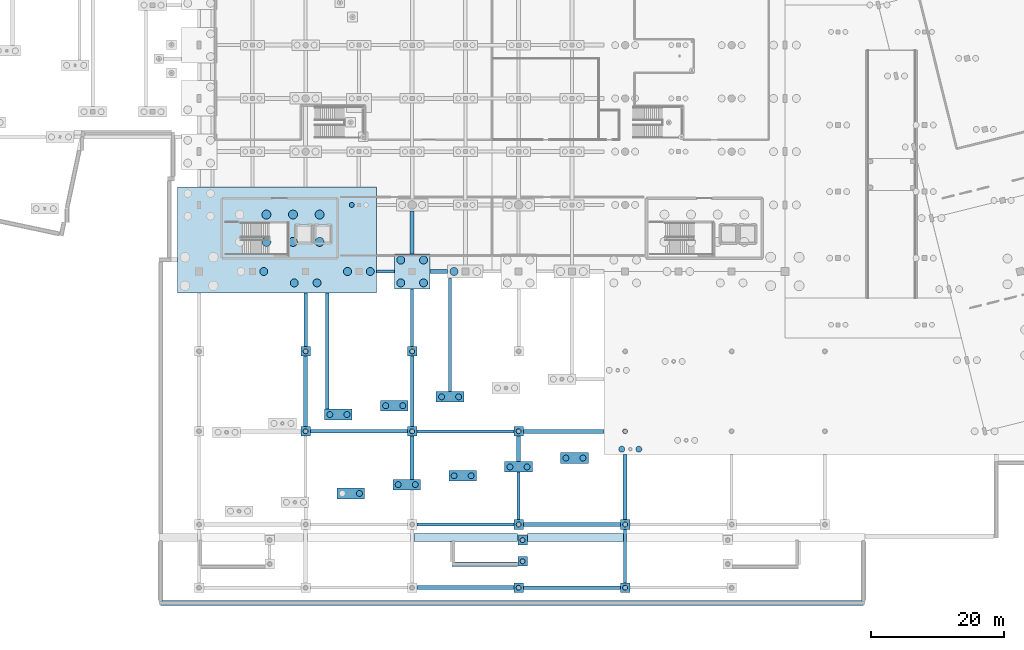
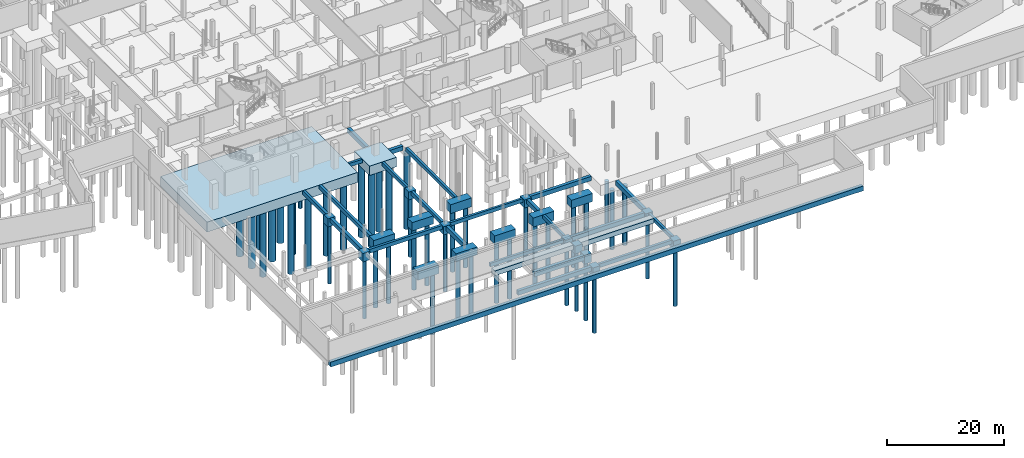
# One storey, part 2 of 65: 46 footings, 46 piles.
"""IFC4 building model written with IfcOpenShell, lengths in metres."""

from ifc_helpers import new_model, si_unit, direction, frame, origin, origin_2d, place, context, subcontext, project, spatial, rectangle, circle, extrude, material, material_profile, profile_set, type_object, element, save


model = new_model("IFC4")

# Units and contexts
model_context = context("Model", 3, precision=1e-05, world=origin(), true_north=direction((0.0, 1.0)))
body_context = subcontext(model_context, "Body", "Model", "MODEL_VIEW")
ifc_project = project(units=[si_unit("LENGTHUNIT", "METRE"), si_unit("AREAUNIT", "SQUARE_METRE"), si_unit("VOLUMEUNIT", "CUBIC_METRE"), si_unit("PLANEANGLEUNIT", "RADIAN"), si_unit("MASSUNIT", "GRAM", prefix="KILO")], contexts=[model_context])

# Site, building, storey
site_placement = place(None, origin())
site = spatial("IfcSite", under=ifc_project, at=site_placement, CompositionType="ELEMENT")
building_placement = place(site_placement, origin())
building = spatial("IfcBuilding", under=site, at=building_placement, Name="Khorjan Park Terminus", CompositionType="ELEMENT")
storey_placement = place(building_placement, frame((0.0, 0.0, -5.4)))
storey = spatial("IfcBuildingStorey", under=building, at=storey_placement, Name="B1", CompositionType="ELEMENT", Elevation=-5.4)

# Footings
ifc_material = material(Name="Concrete C40/50", Category="concrete")
ifc_material_profile_1 = material_profile(ifc_material, rectangle(XDim=0.45, YDim=0.75, at=origin_2d()), Name="RC 450x750")
ifc_profile_set_1 = profile_set([ifc_material_profile_1], Name="Concrete C40/50")
footing_type_1 = type_object("IfcFootingType", Name="FTG-GB-450x750", PredefinedType="FOOTING_BEAM", material=ifc_profile_set_1)
for number, where, z_axis, x_axis, name in (
    (1, (80.725, -12.0, -0.375), (1.0, 0.0, 0.0), (0.0, 1.0, 0.0), "Reinforced concrete ground tie beam FB-07 (8)"),
    (2, (80.725, 2.0, -0.375), (1.0, 0.0, 0.0), (0.0, 1.0, 0.0), "Reinforced concrete ground tie beam FB-07 (14)"),
):
    element("IfcFooting", number, at=place(storey_placement, frame(where, z_axis=z_axis, x_axis=x_axis)), inside=storey, type_object=footing_type_1, Name=name, PredefinedType="FOOTING_BEAM", context=body_context, shape_type="SweptSolid", body=[
        extrude(rectangle(XDim=0.45, YDim=0.75, at=origin_2d()), origin(), (0.0, 0.0, 1.0), 14.55),
    ])
footing_1_placement = place(storey_placement, frame((74.66, 26.0, -0.375), z_axis=(1.0, 0.0, 0.0), x_axis=(0.0, 1.0, 0.0)))
element("IfcFooting", 3, at=footing_1_placement, inside=storey, type_object=footing_type_1, Name="Reinforced concrete ground tie beam FB-07 (17)", PredefinedType="FOOTING_BEAM", context=body_context, shape_type="SweptSolid", body=[
    extrude(rectangle(XDim=0.45, YDim=0.75, at=origin_2d()), origin(), (0.0, 0.0, 1.0), 2.68),
])
footing_2_placement = place(storey_placement, frame((80.0, 14.725, -0.375), z_axis=(0.0, 1.0, 0.0), x_axis=(-1.0, 0.0, 0.0)))
element("IfcFooting", 4, at=footing_2_placement, inside=storey, type_object=footing_type_1, Name="Reinforced concrete ground tie beam FB-07 (287)", PredefinedType="FOOTING_BEAM", context=body_context, shape_type="SweptSolid", body=[
    extrude(rectangle(XDim=0.45, YDim=0.75, at=origin_2d()), origin(), (0.0, 0.0, 1.0), 8.615),
])
footing_3_placement = place(storey_placement, frame((85.7, 7.971, -0.375), z_axis=(0.0, 1.0, 0.0), x_axis=(-1.0, 0.0, 0.0)))
element("IfcFooting", 5, at=footing_3_placement, inside=storey, type_object=footing_type_1, Name="Reinforced concrete ground tie beam FB-07 (302)", PredefinedType="FOOTING_BEAM", context=body_context, shape_type="SweptSolid", body=[
    extrude(rectangle(XDim=0.45, YDim=0.75, at=origin_2d()), origin(), (0.0, 0.0, 1.0), 17.079),
])
footing_4_placement = place(storey_placement, frame((96.0, -11.275, -0.375), z_axis=(0.0, 1.0, 0.0), x_axis=(-1.0, 0.0, 0.0)))
element("IfcFooting", 6, at=footing_4_placement, inside=storey, type_object=footing_type_1, Name="Reinforced concrete ground tie beam FB-07 (314)", PredefinedType="FOOTING_BEAM", context=body_context, shape_type="SweptSolid", body=[
    extrude(rectangle(XDim=0.45, YDim=0.75, at=origin_2d()), origin(), (0.0, 0.0, 1.0), 7.123),
])
footing_5_placement = place(storey_placement, frame((112.0, -20.775, -0.375), z_axis=(0.0, 1.0, 0.0), x_axis=(-1.0, 0.0, 0.0)))
element("IfcFooting", 7, at=footing_5_placement, inside=storey, type_object=footing_type_1, Name="Reinforced concrete ground tie beam FB-07 (341)", PredefinedType="FOOTING_BEAM", context=body_context, shape_type="SweptSolid", body=[
    extrude(rectangle(XDim=0.45, YDim=0.75, at=origin_2d()), origin(), (0.0, 0.0, 1.0), 8.05),
])
ifc_material_profile_2 = material_profile(ifc_material, rectangle(XDim=0.5, YDim=0.8, at=origin_2d()), Name="RC 500x800")
ifc_profile_set_2 = profile_set([ifc_material_profile_2], Name="Concrete C40/50")
footing_type_2 = type_object("IfcFootingType", Name="FTG-GB-500x800", PredefinedType="FOOTING_BEAM", material=ifc_profile_set_2)
for number, where, z_axis, x_axis, name in (
    (8, (96.725, -21.5, -0.4), (1.0, 0.0, 0.0), (0.0, 1.0, 0.0), "Reinforced concrete ground tie beam FB-08 (4)"),
    (9, (64.725, 2.0, -0.4), (1.0, 0.0, 0.0), (0.0, 1.0, 0.0), "Reinforced concrete ground tie beam FB-08 (13)"),
):
    element("IfcFooting", number, at=place(storey_placement, frame(where, z_axis=z_axis, x_axis=x_axis)), inside=storey, type_object=footing_type_2, Name=name, PredefinedType="FOOTING_BEAM", context=body_context, shape_type="SweptSolid", body=[
        extrude(rectangle(XDim=0.5, YDim=0.8, at=origin_2d()), origin(), (0.0, 0.0, 1.0), 14.55),
    ])
footing_6_placement = place(storey_placement, frame((64.0, 14.725, -0.4), z_axis=(0.0, 1.0, 0.0), x_axis=(-1.0, 0.0, 0.0)))
element("IfcFooting", 10, at=footing_6_placement, inside=storey, type_object=footing_type_2, Name="Reinforced concrete ground tie beam FB-08 (259)", PredefinedType="FOOTING_BEAM", context=body_context, shape_type="SweptSolid", body=[
    extrude(rectangle(XDim=0.5, YDim=0.8, at=origin_2d()), origin(), (0.0, 0.0, 1.0), 8.037),
])
footing_7_placement = place(storey_placement, frame((67.25, 5.312, -0.4), z_axis=(0.0, 1.0, 0.0), x_axis=(-1.0, 0.0, 0.0)))
element("IfcFooting", 11, at=footing_7_placement, inside=storey, type_object=footing_type_2, Name="Reinforced concrete ground tie beam FB-08 (271)", PredefinedType="FOOTING_BEAM", context=body_context, shape_type="SweptSolid", body=[
    extrude(rectangle(XDim=0.5, YDim=0.8, at=origin_2d()), origin(), (0.0, 0.0, 1.0), 17.45),
])
footing_8_placement = place(storey_placement, frame((80.0, 2.725, -0.4), z_axis=(0.0, 1.0, 0.0), x_axis=(-1.0, 0.0, 0.0)))
element("IfcFooting", 12, at=footing_8_placement, inside=storey, type_object=footing_type_2, Name="Reinforced concrete ground tie beam FB-08 (286)", PredefinedType="FOOTING_BEAM", context=body_context, shape_type="SweptSolid", body=[
    extrude(rectangle(XDim=0.5, YDim=0.8, at=origin_2d()), origin(), (0.0, 0.0, 1.0), 10.55),
])
ifc_material_profile_3 = material_profile(ifc_material, rectangle(XDim=0.6, YDim=0.9, at=origin_2d()), Name="RC 600x900")
ifc_profile_set_3 = profile_set([ifc_material_profile_3], Name="Concrete C40/50")
footing_type_3 = type_object("IfcFootingType", Name="FTG-GB-600x900", PredefinedType="FOOTING_BEAM", material=ifc_profile_set_3)
for number, where, z_axis, x_axis, name in (
    (13, (80.725, -21.5, -0.45), (1.0, 0.0, 0.0), (0.0, 1.0, 0.0), "Reinforced concrete ground tie beam FB-09 (3)"),
    (14, (96.725, -12.0, -0.45), (1.0, 0.0, 0.0), (0.0, 1.0, 0.0), "Reinforced concrete ground tie beam FB-09 (9)"),
):
    element("IfcFooting", number, at=place(storey_placement, frame(where, z_axis=z_axis, x_axis=x_axis)), inside=storey, type_object=footing_type_3, Name=name, PredefinedType="FOOTING_BEAM", context=body_context, shape_type="SweptSolid", body=[
        extrude(rectangle(XDim=0.6, YDim=0.9, at=origin_2d()), origin(), (0.0, 0.0, 1.0), 14.55),
    ])
footing_9_placement = place(storey_placement, frame((96.725, 2.0, -0.45), z_axis=(1.0, 0.0, 0.0), x_axis=(0.0, 1.0, 0.0)))
element("IfcFooting", 15, at=footing_9_placement, inside=storey, type_object=footing_type_3, Name="Reinforced concrete ground tie beam FB-09 (15)", PredefinedType="FOOTING_BEAM", context=body_context, shape_type="SweptSolid", body=[
    extrude(rectangle(XDim=0.6, YDim=0.9, at=origin_2d()), origin(), (0.0, 0.0, 1.0), 12.083),
])
footing_10_placement = place(storey_placement, frame((82.66, 26.0, -0.45), z_axis=(1.0, 0.0, 0.0), x_axis=(0.0, 1.0, 0.0)))
element("IfcFooting", 16, at=footing_10_placement, inside=storey, type_object=footing_type_3, Name="Reinforced concrete ground tie beam FB-09 (18)", PredefinedType="FOOTING_BEAM", context=body_context, shape_type="SweptSolid", body=[
    extrude(rectangle(XDim=0.6, YDim=0.9, at=origin_2d()), origin(), (0.0, 0.0, 1.0), 2.68),
])
footing_11_placement = place(storey_placement, frame((64.0, 2.725, -0.45), z_axis=(0.0, 1.0, 0.0), x_axis=(-1.0, 0.0, 0.0)))
element("IfcFooting", 17, at=footing_11_placement, inside=storey, type_object=footing_type_3, Name="Reinforced concrete ground tie beam FB-09 (258)", PredefinedType="FOOTING_BEAM", context=body_context, shape_type="SweptSolid", body=[
    extrude(rectangle(XDim=0.6, YDim=0.9, at=origin_2d()), origin(), (0.0, 0.0, 1.0), 10.55),
])
footing_12_placement = place(storey_placement, frame((80.0, -5.211, -0.45), z_axis=(0.0, 1.0, 0.0), x_axis=(-1.0, 0.0, 0.0)))
element("IfcFooting", 18, at=footing_12_placement, inside=storey, type_object=footing_type_3, Name="Reinforced concrete ground tie beam FB-09 (285)", PredefinedType="FOOTING_BEAM", context=body_context, shape_type="SweptSolid", body=[
    extrude(rectangle(XDim=0.6, YDim=0.9, at=origin_2d()), origin(), (0.0, 0.0, 1.0), 6.486),
])
footing_13_placement = place(storey_placement, frame((80.0, 28.66, -0.45), z_axis=(0.0, 1.0, 0.0), x_axis=(-1.0, 0.0, 0.0)))
element("IfcFooting", 19, at=footing_13_placement, inside=storey, type_object=footing_type_3, Name="Reinforced concrete ground tie beam FB-09 (288)", PredefinedType="FOOTING_BEAM", context=body_context, shape_type="SweptSolid", body=[
    extrude(rectangle(XDim=0.6, YDim=0.9, at=origin_2d()), origin(), (0.0, 0.0, 1.0), 6.465),
])
footing_14_placement = place(storey_placement, frame((96.0, -2.552, -0.45), z_axis=(0.0, 1.0, 0.0), x_axis=(-1.0, 0.0, 0.0)))
element("IfcFooting", 20, at=footing_14_placement, inside=storey, type_object=footing_type_3, Name="Reinforced concrete ground tie beam FB-09 (315)", PredefinedType="FOOTING_BEAM", context=body_context, shape_type="SweptSolid", body=[
    extrude(rectangle(XDim=0.6, YDim=0.9, at=origin_2d()), origin(), (0.0, 0.0, 1.0), 3.827),
])
footing_15_placement = place(storey_placement, frame((112.0, -11.275, -0.45), z_axis=(0.0, 1.0, 0.0), x_axis=(-1.0, 0.0, 0.0)))
element("IfcFooting", 21, at=footing_15_placement, inside=storey, type_object=footing_type_3, Name="Reinforced concrete ground tie beam FB-09 (342)", PredefinedType="FOOTING_BEAM", context=body_context, shape_type="SweptSolid", body=[
    extrude(rectangle(XDim=0.6, YDim=0.9, at=origin_2d()), origin(), (0.0, 0.0, 1.0), 9.783),
])
footing_type_4 = type_object("IfcFootingType", Name="FTG-PC-06", PredefinedType="PILE_CAP", material=ifc_material)
footing_16_placement = place(storey_placement, frame((85.7035, 7.171, -1.84), z_axis=(0.0, 0.0, 1.0), x_axis=(1.0, 0.0, 0.0)))
element("IfcFooting", 22, at=footing_16_placement, inside=storey, type_object=footing_type_4, Name="Reinforced concrete pile cap PC-06 (162)", PredefinedType="PILE_CAP", context=body_context, shape_type="SweptSolid", body=[
    extrude(rectangle(XDim=4.165, YDim=1.6, at=origin_2d()), origin(), (0.0, 0.0, 1.0), 1.84),
])
footing_type_5 = type_object("IfcFootingType", Name="FTG-PC-07", PredefinedType="PILE_CAP", material=ifc_material)
footing_17_placement = place(storey_placement, frame((79.1865, -6.011, -1.66), z_axis=(0.0, 0.0, 1.0), x_axis=(1.0, 0.0, 0.0)))
element("IfcFooting", 23, at=footing_17_placement, inside=storey, type_object=footing_type_5, Name="Reinforced concrete pile cap PC-07 (145)", PredefinedType="PILE_CAP", context=body_context, shape_type="SweptSolid", body=[
    extrude(rectangle(XDim=4.165, YDim=1.6, at=origin_2d()), origin(), (0.0, 0.0, 1.0), 1.66),
])
footing_type_6 = type_object("IfcFootingType", Name="FTG-PC-11", PredefinedType="PILE_CAP", material=ifc_material)
footing_18_placement = place(storey_placement, frame((70.791, -7.341, -1.84), z_axis=(0.0, 0.0, 1.0), x_axis=(1.0, 0.0, 0.0)))
element("IfcFooting", 24, at=footing_18_placement, inside=storey, type_object=footing_type_6, Name="Reinforced concrete pile cap PC-11 (128)", PredefinedType="PILE_CAP", context=body_context, shape_type="SweptSolid", body=[
    extrude(rectangle(XDim=4.164, YDim=1.6, at=origin_2d()), origin(), (0.0, 0.0, 1.0), 1.84),
])
footing_type_7 = type_object("IfcFootingType", Name="FTG-PC-12", PredefinedType="PILE_CAP", material=ifc_material)
for number, where, z_axis, x_axis, name in (
    (25, (68.913, 4.512, -1.9), (0.0, 0.0, 1.0), (1.0, 0.0, 0.0), "Reinforced concrete pile cap PC-12 (126)"),
    (26, (95.977, -3.352, -1.9), (0.0, 0.0, 1.0), (1.0, 0.0, 0.0), "Reinforced concrete pile cap PC-12 (183)"),
):
    element("IfcFooting", number, at=place(storey_placement, frame(where, z_axis=z_axis, x_axis=x_axis)), inside=storey, type_object=footing_type_7, Name=name, PredefinedType="PILE_CAP", context=body_context, shape_type="SweptSolid", body=[
        extrude(rectangle(XDim=4.164, YDim=1.6, at=origin_2d()), origin(), (0.0, 0.0, 1.0), 1.9),
    ])
footing_type_8 = type_object("IfcFootingType", Name="FTG-PC-14", PredefinedType="PILE_CAP", material=ifc_material)
for number, where, z_axis, x_axis, name in (
    (27, (77.309, 5.841, -1.72), (0.0, 0.0, 1.0), (1.0, 0.0, 0.0), "Reinforced concrete pile cap PC-14 (144)"),
    (28, (104.372, -2.022, -1.72), (0.0, 0.0, 1.0), (1.0, 0.0, 0.0), "Reinforced concrete pile cap PC-14 (213)"),
):
    element("IfcFooting", number, at=place(storey_placement, frame(where, z_axis=z_axis, x_axis=x_axis)), inside=storey, type_object=footing_type_8, Name=name, PredefinedType="PILE_CAP", context=body_context, shape_type="SweptSolid", body=[
        extrude(rectangle(XDim=4.164, YDim=1.6, at=origin_2d()), origin(), (0.0, 0.0, 1.0), 1.72),
    ])
footing_type_9 = type_object("IfcFootingType", Name="FTG-PC-15", PredefinedType="PILE_CAP", material=ifc_material)
footing_19_placement = place(storey_placement, frame((96.59, -14.35, -1.6), z_axis=(0.0, 0.0, 1.0), x_axis=(1.0, 0.0, 0.0)))
element("IfcFooting", 29, at=footing_19_placement, inside=storey, type_object=footing_type_9, Name="Reinforced concrete pile cap PC-15 (197)", PredefinedType="PILE_CAP", context=body_context, shape_type="SweptSolid", body=[
    extrude(rectangle(XDim=1.45, YDim=1.45, at=origin_2d()), origin(), (0.0, 0.0, 1.0), 1.6),
])
footing_type_10 = type_object("IfcFootingType", Name="FTG-PC-16", PredefinedType="PILE_CAP", material=ifc_material)
for number, where, z_axis, x_axis, name in (
    (30, (80.0, 14.0, -1.66), (0.0, 0.0, 1.0), (1.0, 0.0, 0.0), "Reinforced concrete pile cap PC-16 (161)"),
    (31, (96.0, 2.0, -1.66), (0.0, 0.0, 1.0), (1.0, 0.0, 0.0), "Reinforced concrete pile cap PC-16 (194)"),
    (32, (112.0, -12.0, -1.66), (0.0, 0.0, 1.0), (1.0, 0.0, 0.0), "Reinforced concrete pile cap PC-16 (227)"),
):
    element("IfcFooting", number, at=place(storey_placement, frame(where, z_axis=z_axis, x_axis=x_axis)), inside=storey, type_object=footing_type_10, Name=name, PredefinedType="PILE_CAP", context=body_context, shape_type="SweptSolid", body=[
        extrude(rectangle(XDim=1.45, YDim=1.45, at=origin_2d()), origin(), (0.0, 0.0, 1.0), 1.66),
    ])
footing_type_11 = type_object("IfcFootingType", Name="FTG-PC-17", PredefinedType="PILE_CAP", material=ifc_material)
for number, where, z_axis, x_axis, name in (
    (33, (64.0, 14.0, -1.72), (0.0, 0.0, 1.0), (1.0, 0.0, 0.0), "Reinforced concrete pile cap PC-17 (117)"),
    (34, (80.0, 2.0, -1.72), (0.0, 0.0, 1.0), (1.0, 0.0, 0.0), "Reinforced concrete pile cap PC-17 (160)"),
    (35, (96.0, -12.0, -1.72), (0.0, 0.0, 1.0), (1.0, 0.0, 0.0), "Reinforced concrete pile cap PC-17 (193)"),
    (36, (112.0, -21.5, -1.72), (0.0, 0.0, 1.0), (1.0, 0.0, 0.0), "Reinforced concrete pile cap PC-17 (226)"),
):
    element("IfcFooting", number, at=place(storey_placement, frame(where, z_axis=z_axis, x_axis=x_axis)), inside=storey, type_object=footing_type_11, Name=name, PredefinedType="PILE_CAP", context=body_context, shape_type="SweptSolid", body=[
        extrude(rectangle(XDim=1.45, YDim=1.45, at=origin_2d()), origin(), (0.0, 0.0, 1.0), 1.72),
    ])
footing_type_12 = type_object("IfcFootingType", Name="FTG-PC-18", PredefinedType="PILE_CAP", material=ifc_material)
footing_20_placement = place(storey_placement, frame((87.581, -4.681, -1.78), z_axis=(0.0, 0.0, 1.0), x_axis=(1.0, 0.0, 0.0)))
element("IfcFooting", 37, at=footing_20_placement, inside=storey, type_object=footing_type_12, Name="Reinforced concrete pile cap PC-18 (165)", PredefinedType="PILE_CAP", context=body_context, shape_type="SweptSolid", body=[
    extrude(rectangle(XDim=4.164, YDim=1.6, at=origin_2d()), origin(), (0.0, 0.0, 1.0), 1.78),
])
footing_type_13 = type_object("IfcFootingType", Name="FTG-PC-21", PredefinedType="PILE_CAP", material=ifc_material)
footing_21_placement = place(storey_placement, frame((96.59, -17.54, -1.84), z_axis=(0.0, 0.0, 1.0), x_axis=(1.0, 0.0, 0.0)))
element("IfcFooting", 38, at=footing_21_placement, inside=storey, type_object=footing_type_13, Name="Reinforced concrete pile cap PC-21 (196)", PredefinedType="PILE_CAP", context=body_context, shape_type="SweptSolid", body=[
    extrude(rectangle(XDim=1.45, YDim=1.45, at=origin_2d()), origin(), (0.0, 0.0, 1.0), 1.84),
])
footing_type_14 = type_object("IfcFootingType", Name="FTG-PC-22", PredefinedType="PILE_CAP", material=ifc_material)
for number, where, z_axis, x_axis, name in (
    (39, (64.0, 2.0, -1.78), (0.0, 0.0, 1.0), (1.0, 0.0, 0.0), "Reinforced concrete pile cap PC-22 (116)"),
    (40, (96.0, -21.5, -1.78), (0.0, 0.0, 1.0), (1.0, 0.0, 0.0), "Reinforced concrete pile cap PC-22 (192)"),
):
    element("IfcFooting", number, at=place(storey_placement, frame(where, z_axis=z_axis, x_axis=x_axis)), inside=storey, type_object=footing_type_14, Name=name, PredefinedType="PILE_CAP", context=body_context, shape_type="SweptSolid", body=[
        extrude(rectangle(XDim=1.45, YDim=1.45, at=origin_2d()), origin(), (0.0, 0.0, 1.0), 1.78),
    ])
footing_type_15 = type_object("IfcFootingType", Name="FTG-PC-23", PredefinedType="PILE_CAP", material=ifc_material)
footing_22_placement = place(storey_placement, frame((80.0, 26.0, -1.96), z_axis=(0.0, 0.0, 1.0), x_axis=(1.0, 0.0, 0.0)))
element("IfcFooting", 41, at=footing_22_placement, inside=storey, type_object=footing_type_15, Name="Reinforced concrete pile cap PC-23 (146)", PredefinedType="PILE_CAP", context=body_context, shape_type="SweptSolid", body=[
    extrude(rectangle(XDim=5.32, YDim=5.32, at=origin_2d()), origin(), (0.0, 0.0, 1.0), 1.96),
])
footing_type_16 = type_object("IfcFootingType", Name="FTG-PC-27", PredefinedType="PILE_CAP", material=ifc_material)
footing_23_placement = place(storey_placement, frame((59.7115, 30.711, -2.08), z_axis=(0.0, 0.0, 1.0), x_axis=(1.0, 0.0, 0.0)))
element("IfcFooting", 42, at=footing_23_placement, inside=storey, type_object=footing_type_16, Name="Reinforced concrete pile cap PC-27 (65)", PredefinedType="PILE_CAP", context=body_context, shape_type="SweptSolid", body=[
    extrude(rectangle(XDim=29.897, YDim=15.898, at=origin_2d()), origin(), (0.0, 0.0, 1.0), 2.08),
])
ifc_material_profile_4 = material_profile(ifc_material, rectangle(XDim=1.2, YDim=1.0, at=origin_2d()), Name="RC 1200x1000")
ifc_profile_set_4 = profile_set([ifc_material_profile_4], Name="Concrete C40/50")
footing_type_17 = type_object("IfcFootingType", Name="FTG-SF-1200x1000", PredefinedType="STRIP_FOOTING", material=ifc_profile_set_4)
footing_24_placement = place(storey_placement, frame((80.253, -13.98, -0.5), z_axis=(1.0, 0.0, 0.0), x_axis=(0.0, 1.0, 0.0)))
element("IfcFooting", 43, at=footing_24_placement, inside=storey, type_object=footing_type_17, Name="Reinforced concrete wall strip footing SF-12 (5)", PredefinedType="STRIP_FOOTING", context=body_context, shape_type="SweptSolid", body=[
    extrude(rectangle(XDim=1.2, YDim=1.0, at=origin_2d()), origin(), (0.0, 0.0, 1.0), 15.609),
])
footing_25_placement = place(storey_placement, frame((97.318, -13.98, -0.5), z_axis=(1.0, 0.0, 0.0), x_axis=(0.0, 1.0, 0.0)))
element("IfcFooting", 44, at=footing_25_placement, inside=storey, type_object=footing_type_17, Name="Reinforced concrete wall strip footing SF-12 (6)", PredefinedType="STRIP_FOOTING", context=body_context, shape_type="SweptSolid", body=[
    extrude(rectangle(XDim=1.2, YDim=1.0, at=origin_2d()), origin(), (0.0, 0.0, 1.0), 14.454),
])
ifc_material_profile_5 = material_profile(ifc_material, rectangle(XDim=0.7, YDim=1.0, at=origin_2d()), Name="RC 700x1000")
ifc_profile_set_5 = profile_set([ifc_material_profile_5], Name="Concrete C40/50")
footing_type_18 = type_object("IfcFootingType", Name="FTG-SF-700x1000", PredefinedType="STRIP_FOOTING", material=ifc_profile_set_5)
footing_26_placement = place(storey_placement, frame((147.79, -23.79, -0.5), z_axis=(-1.0, 0.0, 0.0), x_axis=(0.0, -1.0, 0.0)))
element("IfcFooting", 45, at=footing_26_placement, inside=storey, type_object=footing_type_18, Name="Reinforced concrete wall strip footing SF-07 (42)", PredefinedType="STRIP_FOOTING", context=body_context, shape_type="SweptSolid", body=[
    extrude(rectangle(XDim=0.7, YDim=1.0, at=origin_2d()), origin(), (0.0, 0.0, 1.0), 105.58),
])
footing_27_placement = place(storey_placement, frame((86.0, -17.95, -0.5), z_axis=(1.0, 0.0, 0.0), x_axis=(0.0, 1.0, 0.0)))
element("IfcFooting", 46, at=footing_27_placement, inside=storey, type_object=footing_type_18, Name="Reinforced concrete wall strip footing SF-07 (58)", PredefinedType="STRIP_FOOTING", context=body_context, shape_type="SweptSolid", body=[
    extrude(rectangle(XDim=0.7, YDim=1.0, at=origin_2d()), origin(), (0.0, 0.0, 1.0), 9.862),
])

# Piles
ifc_material_profile_6 = material_profile(ifc_material, circle(Radius=0.6, at=origin_2d()), Name="BORED D1200")
ifc_profile_set_6 = profile_set([ifc_material_profile_6], Name="Concrete C40/50")
pile_type_1 = type_object("IfcPileType", Name="PL-D1200", PredefinedType="BORED", material=ifc_profile_set_6)
for number, where, z_axis, x_axis, name in (
    (47, (57.71, 26.0, -1.98), (0.0, 0.0, -1.0), (1.0, 0.0, 0.0), "Bored rock-socketed pile PL-120 (152)"),
    (48, (62.29, 24.29, -1.98), (0.0, 0.0, -1.0), (1.0, 0.0, 0.0), "Bored rock-socketed pile PL-120 (153)"),
    (49, (65.71, 24.29, -1.98), (0.0, 0.0, -1.0), (1.0, 0.0, 0.0), "Bored rock-socketed pile PL-120 (154)"),
    (50, (70.29, 26.0, -1.98), (0.0, 0.0, -1.0), (1.0, 0.0, 0.0), "Bored rock-socketed pile PL-120 (155)"),
    (51, (73.71, 26.0, -1.98), (0.0, 0.0, -1.0), (1.0, 0.0, 0.0), "Bored rock-socketed pile PL-120 (156)"),
):
    element("IfcPile", number, at=place(storey_placement, frame(where, z_axis=z_axis, x_axis=x_axis)), inside=storey, type_object=pile_type_1, Name=name, PredefinedType="BORED", context=body_context, shape_type="SweptSolid", body=[
        extrude(circle(Radius=0.6, at=origin_2d()), origin(), (0.0, 0.0, 1.0), 15.62),
    ])
for number, where, z_axis, x_axis, name in (
    (52, (78.29, 24.29, -1.86), (0.0, 0.0, -1.0), (1.0, 0.0, 0.0), "Bored rock-socketed pile PL-120 (328)"),
    (53, (78.29, 27.71, -1.86), (0.0, 0.0, -1.0), (1.0, 0.0, 0.0), "Bored rock-socketed pile PL-120 (329)"),
    (54, (81.71, 24.29, -1.86), (0.0, 0.0, -1.0), (1.0, 0.0, 0.0), "Bored rock-socketed pile PL-120 (330)"),
    (55, (81.71, 27.71, -1.86), (0.0, 0.0, -1.0), (1.0, 0.0, 0.0), "Bored rock-socketed pile PL-120 (331)"),
):
    element("IfcPile", number, at=place(storey_placement, frame(where, z_axis=z_axis, x_axis=x_axis)), inside=storey, type_object=pile_type_1, Name=name, PredefinedType="BORED", context=body_context, shape_type="SweptSolid", body=[
        extrude(circle(Radius=0.6, at=origin_2d()), origin(), (0.0, 0.0, 1.0), 15.74),
    ])
pile_1_placement = place(storey_placement, frame((86.29, 26.0, -1.74), z_axis=(0.0, 0.0, -1.0), x_axis=(1.0, 0.0, 0.0)))
element("IfcPile", 56, at=pile_1_placement, inside=storey, type_object=pile_type_1, Name="Bored rock-socketed pile PL-120 (364)", PredefinedType="BORED", context=body_context, shape_type="SweptSolid", body=[
    extrude(circle(Radius=0.6, at=origin_2d()), origin(), (0.0, 0.0, 1.0), 15.86),
])
ifc_material_profile_7 = material_profile(ifc_material, circle(Radius=0.675, at=origin_2d()), Name="BORED D1350")
ifc_profile_set_7 = profile_set([ifc_material_profile_7], Name="Concrete C40/50")
pile_type_2 = type_object("IfcPileType", Name="PL-D1350", PredefinedType="BORED", material=ifc_profile_set_7)
for number, where, z_axis, x_axis, name in (
    (57, (58.1, 30.45, -1.98), (0.0, 0.0, -1.0), (1.0, 0.0, 0.0), "Bored rock-socketed pile PL-135 (141)"),
    (58, (58.1, 34.55, -1.98), (0.0, 0.0, -1.0), (1.0, 0.0, 0.0), "Bored rock-socketed pile PL-135 (142)"),
    (59, (62.1, 30.45, -1.98), (0.0, 0.0, -1.0), (1.0, 0.0, 0.0), "Bored rock-socketed pile PL-135 (143)"),
    (60, (62.1, 34.55, -1.98), (0.0, 0.0, -1.0), (1.0, 0.0, 0.0), "Bored rock-socketed pile PL-135 (144)"),
    (61, (66.1, 30.45, -1.98), (0.0, 0.0, -1.0), (1.0, 0.0, 0.0), "Bored rock-socketed pile PL-135 (145)"),
    (62, (66.1, 34.55, -1.98), (0.0, 0.0, -1.0), (1.0, 0.0, 0.0), "Bored rock-socketed pile PL-135 (146)"),
):
    element("IfcPile", number, at=place(storey_placement, frame(where, z_axis=z_axis, x_axis=x_axis)), inside=storey, type_object=pile_type_2, Name=name, PredefinedType="BORED", context=body_context, shape_type="SweptSolid", body=[
        extrude(circle(Radius=0.675, at=origin_2d()), origin(), (0.0, 0.0, 1.0), 16.62),
    ])
ifc_material_profile_8 = material_profile(ifc_material, circle(Radius=0.375, at=origin_2d()), Name="BORED D750")
ifc_profile_set_8 = profile_set([ifc_material_profile_8], Name="Concrete C40/50")
pile_type_3 = type_object("IfcPileType", Name="PL-D750", PredefinedType="BORED", material=ifc_profile_set_8)
pile_2_placement = place(storey_placement, frame((70.931, 36.0, -1.98), z_axis=(0.0, 0.0, -1.0), x_axis=(1.0, 0.0, 0.0)))
element("IfcPile", 63, at=pile_2_placement, inside=storey, type_object=pile_type_3, Name="Bored rock-socketed pile PL-75 (157)", PredefinedType="BORED", context=body_context, shape_type="SweptSolid", body=[
    extrude(circle(Radius=0.375, at=origin_2d()), origin(), (0.0, 0.0, 1.0), 12.12),
])
pile_3_placement = place(storey_placement, frame((64.0, 2.0, -1.68), z_axis=(0.0, 0.0, -1.0), x_axis=(1.0, 0.0, 0.0)))
element("IfcPile", 64, at=pile_3_placement, inside=storey, type_object=pile_type_3, Name="Bored rock-socketed pile PL-75 (270)", PredefinedType="BORED", context=body_context, shape_type="SweptSolid", body=[
    extrude(circle(Radius=0.375, at=origin_2d()), origin(), (0.0, 0.0, 1.0), 12.42),
])
for number, where, z_axis, x_axis, name in (
    (65, (64.0, 14.0, -1.62), (0.0, 0.0, -1.0), (1.0, 0.0, 0.0), "Bored rock-socketed pile PL-75 (271)"),
    (66, (80.0, 2.0, -1.62), (0.0, 0.0, -1.0), (1.0, 0.0, 0.0), "Bored rock-socketed pile PL-75 (360)"),
):
    element("IfcPile", number, at=place(storey_placement, frame(where, z_axis=z_axis, x_axis=x_axis)), inside=storey, type_object=pile_type_3, Name=name, PredefinedType="BORED", context=body_context, shape_type="SweptSolid", body=[
        extrude(circle(Radius=0.375, at=origin_2d()), origin(), (0.0, 0.0, 1.0), 12.48),
    ])
pile_4_placement = place(storey_placement, frame((80.0, 14.0, -1.56), z_axis=(0.0, 0.0, -1.0), x_axis=(1.0, 0.0, 0.0)))
element("IfcPile", 67, at=pile_4_placement, inside=storey, type_object=pile_type_3, Name="Bored rock-socketed pile PL-75 (361)", PredefinedType="BORED", context=body_context, shape_type="SweptSolid", body=[
    extrude(circle(Radius=0.375, at=origin_2d()), origin(), (0.0, 0.0, 1.0), 12.54),
])
pile_5_placement = place(storey_placement, frame((96.0, -21.5, -1.68), z_axis=(0.0, 0.0, -1.0), x_axis=(1.0, 0.0, 0.0)))
element("IfcPile", 68, at=pile_5_placement, inside=storey, type_object=pile_type_3, Name="Bored rock-socketed pile PL-75 (430)", PredefinedType="BORED", context=body_context, shape_type="SweptSolid", body=[
    extrude(circle(Radius=0.375, at=origin_2d()), origin(), (0.0, 0.0, 1.0), 12.42),
])
pile_6_placement = place(storey_placement, frame((96.0, -12.0, -1.62), z_axis=(0.0, 0.0, -1.0), x_axis=(1.0, 0.0, 0.0)))
element("IfcPile", 69, at=pile_6_placement, inside=storey, type_object=pile_type_3, Name="Bored rock-socketed pile PL-75 (431)", PredefinedType="BORED", context=body_context, shape_type="SweptSolid", body=[
    extrude(circle(Radius=0.375, at=origin_2d()), origin(), (0.0, 0.0, 1.0), 12.48),
])
pile_7_placement = place(storey_placement, frame((96.0, 2.0, -1.56), z_axis=(0.0, 0.0, -1.0), x_axis=(1.0, 0.0, 0.0)))
element("IfcPile", 70, at=pile_7_placement, inside=storey, type_object=pile_type_3, Name="Bored rock-socketed pile PL-75 (432)", PredefinedType="BORED", context=body_context, shape_type="SweptSolid", body=[
    extrude(circle(Radius=0.375, at=origin_2d()), origin(), (0.0, 0.0, 1.0), 12.54),
])
pile_8_placement = place(storey_placement, frame((96.59, -17.54, -1.74), z_axis=(0.0, 0.0, -1.0), x_axis=(1.0, 0.0, 0.0)))
element("IfcPile", 71, at=pile_8_placement, inside=storey, type_object=pile_type_3, Name="Bored rock-socketed pile PL-75 (434)", PredefinedType="BORED", context=body_context, shape_type="SweptSolid", body=[
    extrude(circle(Radius=0.375, at=origin_2d()), origin(), (0.0, 0.0, 1.0), 12.36),
])
pile_9_placement = place(storey_placement, frame((96.59, -14.35, -1.5), z_axis=(0.0, 0.0, -1.0), x_axis=(1.0, 0.0, 0.0)))
element("IfcPile", 72, at=pile_9_placement, inside=storey, type_object=pile_type_3, Name="Bored rock-socketed pile PL-75 (435)", PredefinedType="BORED", context=body_context, shape_type="SweptSolid", body=[
    extrude(circle(Radius=0.375, at=origin_2d()), origin(), (0.0, 0.0, 1.0), 12.6),
])
pile_10_placement = place(storey_placement, frame((112.0, 2.0, -2.14), z_axis=(0.0, 0.0, -1.0), x_axis=(1.0, 0.0, 0.0)))
element("IfcPile", 73, at=pile_10_placement, inside=storey, type_object=pile_type_3, Name="Bored rock-socketed pile PL-75 (732)", PredefinedType="BORED", context=body_context, shape_type="SweptSolid", body=[
    extrude(circle(Radius=0.375, at=origin_2d()), origin(), (0.0, 0.0, 1.0), 11.96),
])
pile_11_placement = place(storey_placement, frame((112.0, -21.5, -1.62), z_axis=(0.0, 0.0, -1.0), x_axis=(1.0, 0.0, 0.0)))
element("IfcPile", 74, at=pile_11_placement, inside=storey, type_object=pile_type_3, Name="Bored rock-socketed pile PL-75 (767)", PredefinedType="BORED", context=body_context, shape_type="SweptSolid", body=[
    extrude(circle(Radius=0.375, at=origin_2d()), origin(), (0.0, 0.0, 1.0), 12.48),
])
pile_12_placement = place(storey_placement, frame((112.0, -12.0, -1.56), z_axis=(0.0, 0.0, -1.0), x_axis=(1.0, 0.0, 0.0)))
element("IfcPile", 75, at=pile_12_placement, inside=storey, type_object=pile_type_3, Name="Bored rock-socketed pile PL-75 (768)", PredefinedType="BORED", context=body_context, shape_type="SweptSolid", body=[
    extrude(circle(Radius=0.375, at=origin_2d()), origin(), (0.0, 0.0, 1.0), 12.54),
])
ifc_material_profile_9 = material_profile(ifc_material, circle(Radius=0.45, at=origin_2d()), Name="BORED D900")
ifc_profile_set_9 = profile_set([ifc_material_profile_9], Name="Concrete C40/50")
pile_type_4 = type_object("IfcPileType", Name="PL-D900", PredefinedType="BORED", material=ifc_profile_set_9)
for number, where, z_axis, x_axis, name in (
    (76, (67.6305, 4.512, -1.8), (0.0, 0.0, -1.0), (1.0, 0.0, 0.0), "Bored rock-socketed pile PL-90 (280)"),
    (77, (70.1955, 4.512, -1.8), (0.0, 0.0, -1.0), (1.0, 0.0, 0.0), "Bored rock-socketed pile PL-90 (281)"),
):
    element("IfcPile", number, at=place(storey_placement, frame(where, z_axis=z_axis, x_axis=x_axis)), inside=storey, type_object=pile_type_4, Name=name, PredefinedType="BORED", context=body_context, shape_type="SweptSolid", body=[
        extrude(circle(Radius=0.45, at=origin_2d()), origin(), (0.0, 0.0, 1.0), 12.8),
    ])
pile_13_placement = place(storey_placement, frame((72.0735, -7.341, -1.74), z_axis=(0.0, 0.0, -1.0), x_axis=(1.0, 0.0, 0.0)))
element("IfcPile", 78, at=pile_13_placement, inside=storey, type_object=pile_type_4, Name="Bored rock-socketed pile PL-90 (284)", PredefinedType="BORED", context=body_context, shape_type="SweptSolid", body=[
    extrude(circle(Radius=0.45, at=origin_2d()), origin(), (0.0, 0.0, 1.0), 12.86),
])
for number, where, z_axis, x_axis, name in (
    (79, (76.0265, 5.841, -1.62), (0.0, 0.0, -1.0), (1.0, 0.0, 0.0), "Bored rock-socketed pile PL-90 (324)"),
    (80, (78.5915, 5.841, -1.62), (0.0, 0.0, -1.0), (1.0, 0.0, 0.0), "Bored rock-socketed pile PL-90 (325)"),
):
    element("IfcPile", number, at=place(storey_placement, frame(where, z_axis=z_axis, x_axis=x_axis)), inside=storey, type_object=pile_type_4, Name=name, PredefinedType="BORED", context=body_context, shape_type="SweptSolid", body=[
        extrude(circle(Radius=0.45, at=origin_2d()), origin(), (0.0, 0.0, 1.0), 12.98),
    ])
for number, where, z_axis, x_axis, name in (
    (81, (77.9035, -6.011, -1.56), (0.0, 0.0, -1.0), (1.0, 0.0, 0.0), "Bored rock-socketed pile PL-90 (326)"),
    (82, (80.4685, -6.011, -1.56), (0.0, 0.0, -1.0), (1.0, 0.0, 0.0), "Bored rock-socketed pile PL-90 (327)"),
):
    element("IfcPile", number, at=place(storey_placement, frame(where, z_axis=z_axis, x_axis=x_axis)), inside=storey, type_object=pile_type_4, Name=name, PredefinedType="BORED", context=body_context, shape_type="SweptSolid", body=[
        extrude(circle(Radius=0.45, at=origin_2d()), origin(), (0.0, 0.0, 1.0), 13.04),
    ])
for number, where, z_axis, x_axis, name in (
    (83, (84.4215, 7.171, -1.74), (0.0, 0.0, -1.0), (1.0, 0.0, 0.0), "Bored rock-socketed pile PL-90 (362)"),
    (84, (86.9865, 7.171, -1.74), (0.0, 0.0, -1.0), (1.0, 0.0, 0.0), "Bored rock-socketed pile PL-90 (363)"),
):
    element("IfcPile", number, at=place(storey_placement, frame(where, z_axis=z_axis, x_axis=x_axis)), inside=storey, type_object=pile_type_4, Name=name, PredefinedType="BORED", context=body_context, shape_type="SweptSolid", body=[
        extrude(circle(Radius=0.45, at=origin_2d()), origin(), (0.0, 0.0, 1.0), 12.86),
    ])
for number, where, z_axis, x_axis, name in (
    (85, (86.2985, -4.681, -1.68), (0.0, 0.0, -1.0), (1.0, 0.0, 0.0), "Bored rock-socketed pile PL-90 (368)"),
    (86, (88.8635, -4.681, -1.68), (0.0, 0.0, -1.0), (1.0, 0.0, 0.0), "Bored rock-socketed pile PL-90 (369)"),
):
    element("IfcPile", number, at=place(storey_placement, frame(where, z_axis=z_axis, x_axis=x_axis)), inside=storey, type_object=pile_type_4, Name=name, PredefinedType="BORED", context=body_context, shape_type="SweptSolid", body=[
        extrude(circle(Radius=0.45, at=origin_2d()), origin(), (0.0, 0.0, 1.0), 12.92),
    ])
for number, where, z_axis, x_axis, name in (
    (87, (94.6945, -3.352, -1.8), (0.0, 0.0, -1.0), (1.0, 0.0, 0.0), "Bored rock-socketed pile PL-90 (412)"),
    (88, (97.2595, -3.352, -1.8), (0.0, 0.0, -1.0), (1.0, 0.0, 0.0), "Bored rock-socketed pile PL-90 (413)"),
):
    element("IfcPile", number, at=place(storey_placement, frame(where, z_axis=z_axis, x_axis=x_axis)), inside=storey, type_object=pile_type_4, Name=name, PredefinedType="BORED", context=body_context, shape_type="SweptSolid", body=[
        extrude(circle(Radius=0.45, at=origin_2d()), origin(), (0.0, 0.0, 1.0), 12.8),
    ])
for number, where, z_axis, x_axis, name in (
    (89, (103.0895, -2.022, -1.62), (0.0, 0.0, -1.0), (1.0, 0.0, 0.0), "Bored rock-socketed pile PL-90 (466)"),
    (90, (105.6545, -2.022, -1.62), (0.0, 0.0, -1.0), (1.0, 0.0, 0.0), "Bored rock-socketed pile PL-90 (467)"),
):
    element("IfcPile", number, at=place(storey_placement, frame(where, z_axis=z_axis, x_axis=x_axis)), inside=storey, type_object=pile_type_4, Name=name, PredefinedType="BORED", context=body_context, shape_type="SweptSolid", body=[
        extrude(circle(Radius=0.45, at=origin_2d()), origin(), (0.0, 0.0, 1.0), 12.98),
    ])
for number, where, z_axis, x_axis, name in (
    (91, (111.4845, -0.692, -2.14), (0.0, 0.0, -1.0), (1.0, 0.0, 0.0), "Bored rock-socketed pile PL-90 (697)"),
    (92, (114.0495, -0.692, -2.14), (0.0, 0.0, -1.0), (1.0, 0.0, 0.0), "Bored rock-socketed pile PL-90 (698)"),
):
    element("IfcPile", number, at=place(storey_placement, frame(where, z_axis=z_axis, x_axis=x_axis)), inside=storey, type_object=pile_type_4, Name=name, PredefinedType="BORED", context=body_context, shape_type="SweptSolid", body=[
        extrude(circle(Radius=0.45, at=origin_2d()), origin(), (0.0, 0.0, 1.0), 12.46),
    ])

save(model, "model.ifc")
